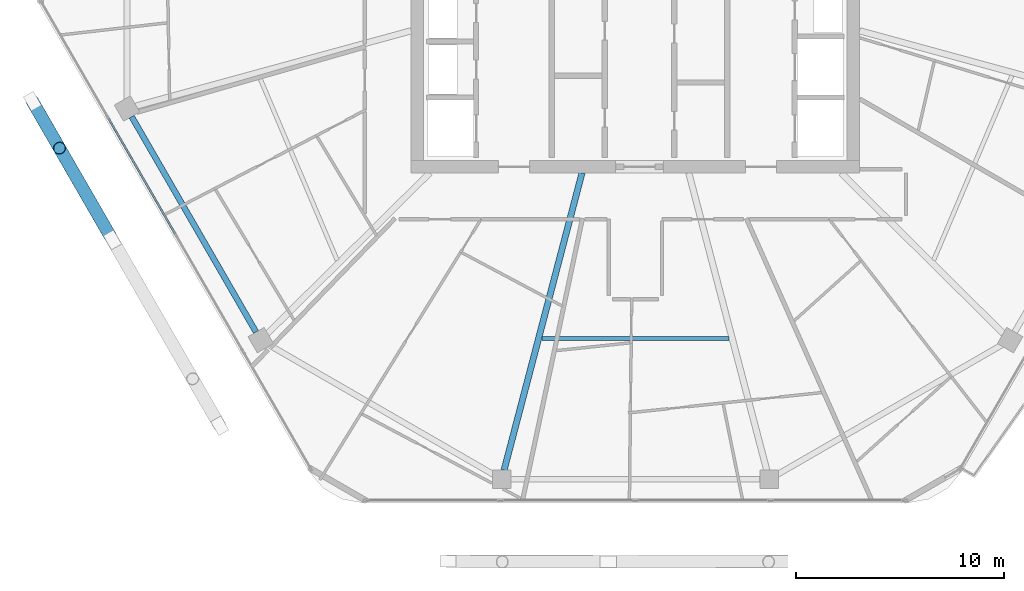
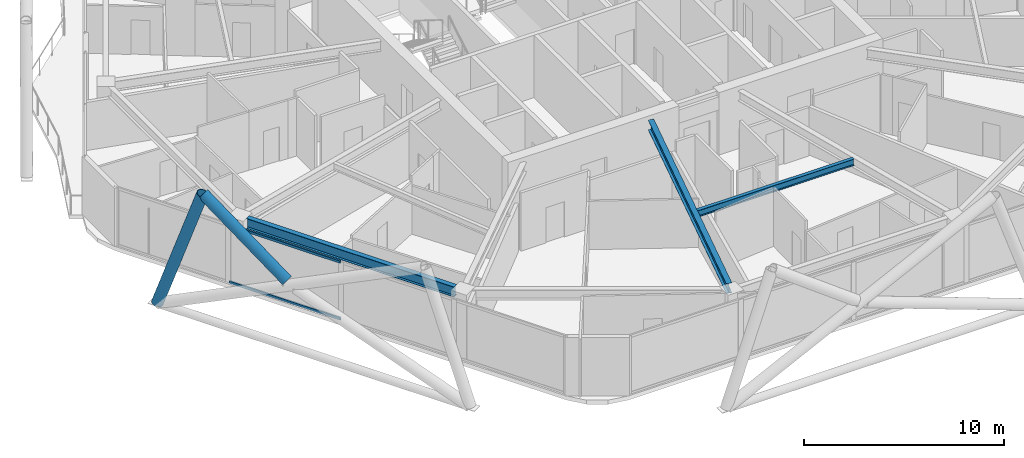
# One storey, part 5 of 29: 4 members, 3 beams, 1 element without a shape of its own.
"""IFC4 building model written with IfcOpenShell, lengths in metres."""

from ifc_helpers import new_model, si_unit, direction, frame, origin, origin_2d, place, context, subcontext, project, spatial, hollow_rectangle, hollow_circle, i_section, extrude, material, material_profile, profile_set, type_object, element, aggregate, save


model = new_model("IFC4")

# Units and contexts
model_context = context("Model", 3, precision=1e-05, world=origin(), true_north=direction((0.0, 1.0)))
body_context = subcontext(model_context, "Body", "Model", "MODEL_VIEW")
ifc_project = project(units=[si_unit("LENGTHUNIT", "METRE"), si_unit("AREAUNIT", "SQUARE_METRE"), si_unit("VOLUMEUNIT", "CUBIC_METRE"), si_unit("PLANEANGLEUNIT", "RADIAN"), si_unit("MASSUNIT", "GRAM", prefix="KILO")], contexts=[model_context])

# Site, building, storey
site_placement = place(None, origin())
site = spatial("IfcSite", under=ifc_project, at=site_placement, CompositionType="ELEMENT")
building_placement = place(site_placement, origin())
building = spatial("IfcBuilding", under=site, at=building_placement, Name="Zuhravey Tower", CompositionType="ELEMENT")
storey_placement = place(building_placement, frame((0.0, 0.0, 246.39990234375)))
storey = spatial("IfcBuildingStorey", under=building, at=storey_placement, Name="L62", CompositionType="ELEMENT", Elevation=246.39990234375)

# Curtain wall, members
ifc_material_1 = material(Name="Thermally broken anodised aluminium", Category="aluminium")
curtain_wall_type = type_object("IfcCurtainWallType", Name="Zone 3-4 High-Rise Curtain Wall CW4", PredefinedType="NOTDEFINED", material=ifc_material_1)
curtain_wall_placement = place(storey_placement, origin())
curtain_wall = element("IfcCurtainWall", 1, at=curtain_wall_placement, inside=storey, type_object=curtain_wall_type, Name="L62 CW4 CW-L62-F4-1", PredefinedType="NOTDEFINED")
ifc_material_2 = material(Name="Anodised aluminium", Category="aluminium")
ifc_material_profile_1 = material_profile(ifc_material_2, hollow_rectangle(XDim=0.090087890625, YDim=0.14990234375, WallThickness=0.0048828125, at=origin_2d()), Name="ALU-RHS-90x150x5")
ifc_profile_set_1 = profile_set([ifc_material_profile_1], Name="Anodised aluminium")
member_type_1 = type_object("IfcMemberType", Name="Curtain-Wall Transom 90x150", PredefinedType="USERDEFINED", material=ifc_profile_set_1)
member_1_placement = place(storey_placement, frame((13.8388671875, 19.257080078125, 0.045166015625), z_axis=(-0.499998017366, 0.866026548456, 0.0), x_axis=(-0.866026548456, -0.499998017366, 0.0)))
member_1 = element("IfcMember", 2, at=member_1_placement, type_object=member_type_1, Name="CW4 transom 3.1", ObjectType="TRANSOM", PredefinedType="USERDEFINED", context=body_context, shape_type="SweptSolid", body=[
    extrude(hollow_rectangle(XDim=0.090087890625, YDim=0.14990234375, WallThickness=0.0048828125, at=origin_2d()), origin(), (0.0, 0.0, 1.0), 6.41650390625),
])
member_2_placement = place(storey_placement, frame((13.8388671875, 19.257080078125, 3.505126953125), z_axis=(-0.499998017366, 0.866026548456, 0.0), x_axis=(-0.866026548456, -0.499998017366, 0.0)))
member_2 = element("IfcMember", 3, at=member_2_placement, type_object=member_type_1, Name="CW4 transom 3.2", ObjectType="TRANSOM", PredefinedType="USERDEFINED", context=body_context, shape_type="SweptSolid", body=[
    extrude(hollow_rectangle(XDim=0.090087890625, YDim=0.14990234375, WallThickness=0.0048828125, at=origin_2d()), origin(), (0.0, 0.0, 1.0), 6.41650390625),
])
aggregate(curtain_wall, [member_1, member_2])

# Members
ifc_material_3 = material(Name="Steel SM355", Category="steel")
ifc_material_profile_2 = material_profile(ifc_material_3, hollow_circle(Radius=0.3046875, WallThickness=0.028076171875, at=origin_2d()), Name="CHS-609.6x28")
ifc_profile_set_2 = profile_set([ifc_material_profile_2], Name="Steel SM355")
member_type_2 = type_object("IfcMemberType", Name="Exoskeleton Zone 3 Diagrid CHS610x28", PredefinedType="BRACE", material=ifc_profile_set_2)
member_3_placement = place(storey_placement, frame((6.959716796875, 25.652099609375, -0.44580078125), z_axis=(0.163030622365, -0.282366718953, 0.945351813982), x_axis=(0.866017274468, 0.500014080125, 0.0)))
element("IfcMember", 4, at=member_3_placement, inside=storey, type_object=member_type_2, Name="L62 Face 4 Diagrid Brace 1", PredefinedType="BRACE", context=body_context, shape_type="SweptSolid", body=[
    extrude(hollow_circle(Radius=0.3046875, WallThickness=0.028076171875, at=origin_2d()), origin(), (0.0, 0.0, 1.0), 8.001220703125),
])
member_4_placement = place(storey_placement, frame((10.697509765625, 19.17822265625, 3.512451171875), z_axis=(-0.400881411374, 0.694285413611, 0.597713860021), x_axis=(-0.866006207073, -0.500033248206, 0.0)))
element("IfcMember", 5, at=member_4_placement, inside=storey, type_object=member_type_2, Name="L62 Face 4 Split Diagrid Brace 3B", PredefinedType="BRACE", context=body_context, shape_type="SweptSolid", body=[
    extrude(hollow_circle(Radius=0.3046875, WallThickness=0.028076171875, at=origin_2d()), origin(), (0.0, 0.0, 1.0), 6.02197265625),
])

# Beams
ifc_material_profile_3 = material_profile(ifc_material_3, i_section(OverallWidth=0.280029296875, OverallDepth=0.6201171875, WebThickness=0.011962890625, FlangeThickness=0.02001953125, at=origin_2d()), Name="H-620x280x12x20")
ifc_profile_set_3 = profile_set([ifc_material_profile_3], Name="Steel SM355")
beam_type_1 = type_object("IfcBeamType", Name="Perimeter Ring Beam H620x280", PredefinedType="BEAM", material=ifc_profile_set_3)
beam_1_placement = place(storey_placement, frame((11.741943359375, 24.90869140625, 3.239990234375), z_axis=(0.500017744717, -0.866015158625, 0.0), x_axis=(0.866015158625, 0.500017744717, 0.0)))
element("IfcBeam", 6, at=beam_1_placement, inside=storey, type_object=beam_type_1, Name="L62 PB3 BM-L62-PB-07", PredefinedType="BEAM", context=body_context, shape_type="SweptSolid", body=[
    extrude(i_section(OverallWidth=0.280029296875, OverallDepth=0.6201171875, WebThickness=0.011962890625, FlangeThickness=0.02001953125, at=origin_2d()), origin(), (0.0, 0.0, 1.0), 11.9755859375),
])
ifc_material_profile_4 = material_profile(ifc_material_3, i_section(OverallWidth=0.300048828125, OverallDepth=0.60009765625, WebThickness=0.011962890625, FlangeThickness=0.02001953125, at=origin_2d()), Name="H-600x300x12x20")
ifc_profile_set_4 = profile_set([ifc_material_profile_4], Name="Steel SM355")
beam_type_2 = type_object("IfcBeamType", Name="Radial Primary Girder H600x300", PredefinedType="BEAM", material=ifc_profile_set_4)
beam_2_placement = place(storey_placement, frame((33.428466796875, 22.197021484375, 3.25), z_axis=(-0.253731415841, -0.967274712073, 0.0), x_axis=(0.967274712073, -0.253731415841, 0.0)))
element("IfcBeam", 7, at=beam_2_placement, inside=storey, type_object=beam_type_2, Name="L62 RG3 BM-L62-RAD-09", PredefinedType="BEAM", context=body_context, shape_type="SweptSolid", body=[
    extrude(i_section(OverallWidth=0.300048828125, OverallDepth=0.60009765625, WebThickness=0.011962890625, FlangeThickness=0.02001953125, at=origin_2d()), origin(), (0.0, 0.0, 1.0), 14.796630859375),
])
ifc_material_profile_5 = material_profile(ifc_material_3, i_section(OverallWidth=0.199951171875, OverallDepth=0.39990234375, WebThickness=0.008056640625, FlangeThickness=0.012939453125, at=origin_2d()), Name="H-400x200x8x13")
ifc_profile_set_5 = profile_set([ifc_material_profile_5], Name="Steel SM355")
beam_type_3 = type_object("IfcBeamType", Name="Secondary Floor Joist H400x200", PredefinedType="JOIST", material=ifc_profile_set_5)
beam_3_placement = place(storey_placement, frame((31.492919921875, 14.231689453125, 3.35009765625), z_axis=(1.0, 0.0, 0.0), x_axis=(0.0, 1.0, 0.0)))
element("IfcBeam", 8, at=beam_3_placement, inside=storey, type_object=beam_type_3, Name="L62 SJ2 BM-L62-SJ-09-1", PredefinedType="JOIST", context=body_context, shape_type="SweptSolid", body=[
    extrude(i_section(OverallWidth=0.199951171875, OverallDepth=0.39990234375, WebThickness=0.008056640625, FlangeThickness=0.012939453125, at=origin_2d()), origin(), (0.0, 0.0, 1.0), 9.01416015625),
])

save(model, "model.ifc")
